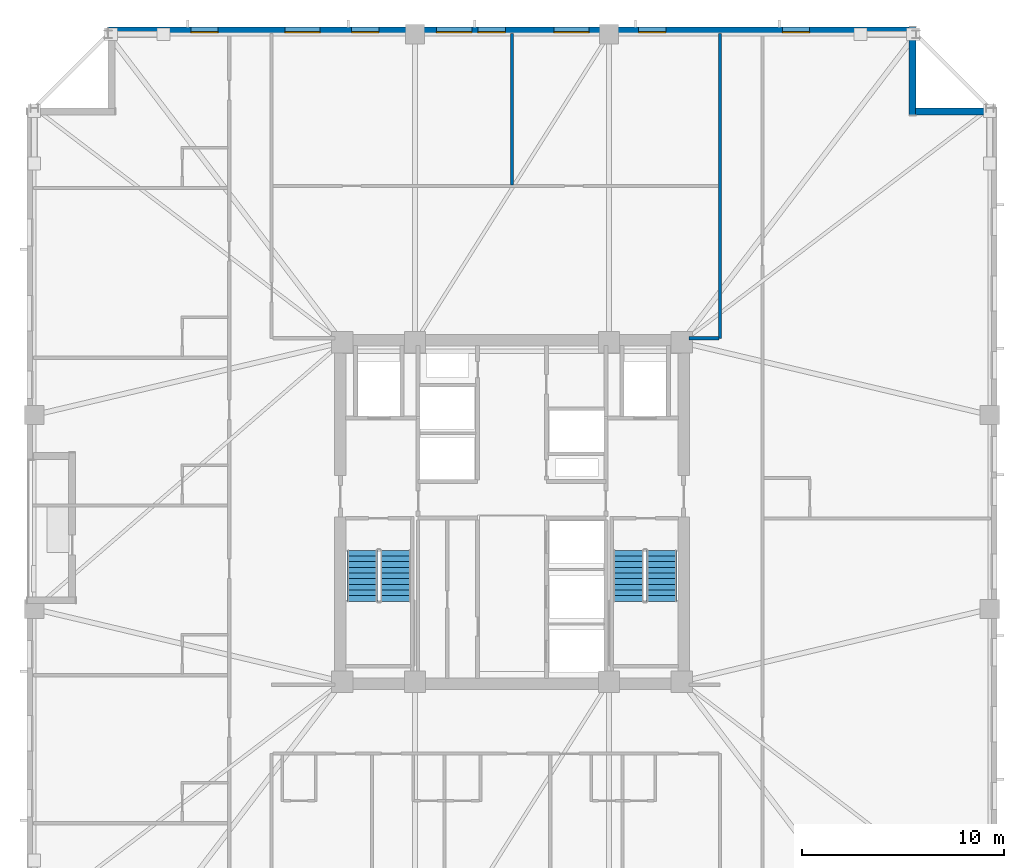
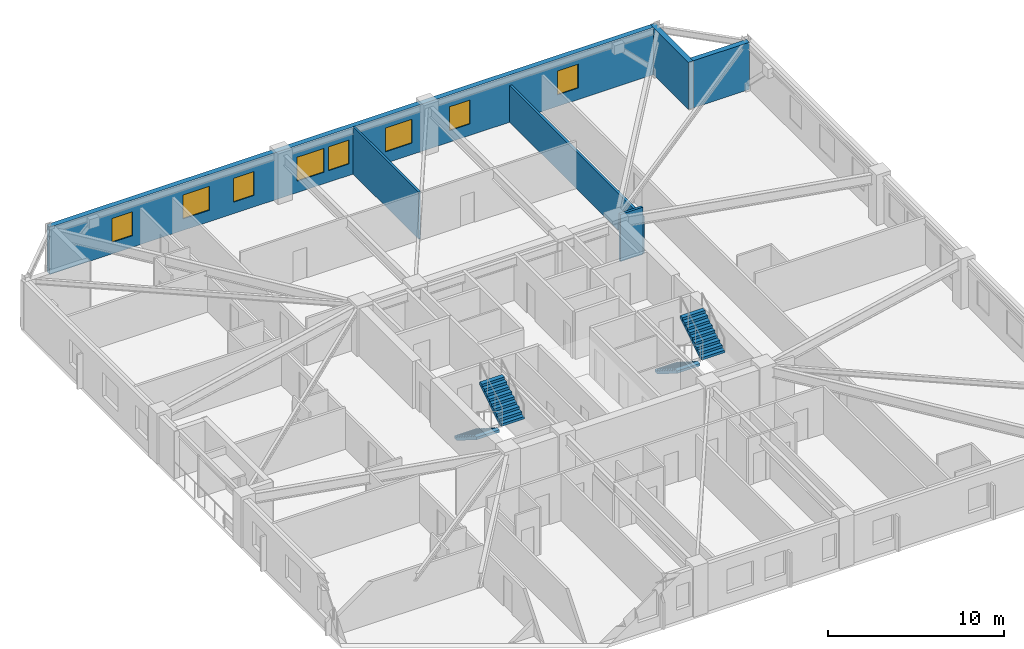
# One storey, part 6 of 11: 8 windows, 6 walls, 4 stair flights, 8 openings, 2 elements without a shape of their own.
"""IFC4 building model written with IfcOpenShell, lengths in metres."""

from ifc_helpers import new_model, si_unit, direction, frame, frame_2d, origin, place, context, subcontext, project, spatial, polyline, rectangle, outline, extrude, material, layer, layer_set, type_object, element, fill, aggregate, save


model = new_model("IFC4")

# Units and contexts
model_context = context("Model", 3, precision=1e-05, world=origin(), true_north=direction((0.0, 1.0)))
body_context = subcontext(model_context, "Body", "Model", "MODEL_VIEW")
ifc_project = project(units=[si_unit("LENGTHUNIT", "METRE"), si_unit("AREAUNIT", "SQUARE_METRE"), si_unit("VOLUMEUNIT", "CUBIC_METRE"), si_unit("PLANEANGLEUNIT", "RADIAN"), si_unit("MASSUNIT", "GRAM", prefix="KILO")], contexts=[model_context])

# Site, building, storey
site_placement = place(None, origin())
site = spatial("IfcSite", under=ifc_project, at=site_placement, CompositionType="ELEMENT")
building_placement = place(site_placement, origin())
building = spatial("IfcBuilding", under=site, at=building_placement, Name="Cairnveth Concourse Tower", CompositionType="ELEMENT")
storey_placement = place(building_placement, frame((0.0, 0.0, 120.0)))
storey = spatial("IfcBuildingStorey", under=building, at=storey_placement, Name="L32", CompositionType="ELEMENT", Elevation=120.0)

# Walls
ifc_material_1 = material(Name="Gypsum Plasterboard Partition", Category="gypsum")
ifc_layer_1 = layer(ifc_material_1, 0.159912109375)
ifc_layer_set_1 = layer_set([ifc_layer_1], Name="Gypsum Plasterboard Partition")
wall_type_1 = type_object("IfcWallType", Name="ACOUSTIC PARTY WALL 180", PredefinedType="PARTITIONING", material=ifc_layer_set_1)
wall_1_placement = place(storey_placement, frame((62.300048828125, 47.60009765625, 0.0), z_axis=(0.0, 0.0, 1.0), x_axis=(0.0, 1.0, 0.0)))
element("IfcWall", 1, at=wall_1_placement, inside=storey, type_object=wall_type_1, Name="Interior Wall IW-L32-043", PredefinedType="PARTITIONING", context=body_context, shape_type="SweptSolid", body=[
    extrude(rectangle(XDim=15.074951171875, YDim=0.159912109375, at=frame_2d((7.53759765625, 0.0))), origin(), (0.0, 0.0, 1.0), 2.554931640625),
])
wall_2_placement = place(storey_placement, frame((60.764892578125, 47.60009765625, 0.0), z_axis=(0.0, 0.0, 1.0), x_axis=(1.0, 0.0, 0.0)))
element("IfcWall", 2, at=wall_2_placement, inside=storey, type_object=wall_type_1, Name="Interior Wall IW-L32-045", PredefinedType="PARTITIONING", context=body_context, shape_type="SweptSolid", body=[
    extrude(rectangle(XDim=1.47021484375, YDim=0.159912109375, at=frame_2d((0.735107421875, 0.0))), origin(), (0.0, 0.0, 1.0), 3.280029296875),
])
ifc_layer_2 = layer(ifc_material_1, 0.139892578125)
ifc_layer_set_2 = layer_set([ifc_layer_2], Name="Gypsum Plasterboard Partition")
wall_type_2 = type_object("IfcWallType", Name="GYPSUM STUD PARTITION 140", PredefinedType="PARTITIONING", material=ifc_layer_set_2)
wall_3_placement = place(storey_placement, frame((52.0, 55.195068359375, 0.0), z_axis=(0.0, 0.0, 1.0), x_axis=(0.0, 1.0, 0.0)))
element("IfcWall", 3, at=wall_3_placement, inside=storey, type_object=wall_type_2, Name="Interior Wall IW-L32-048", PredefinedType="PARTITIONING", context=body_context, shape_type="SweptSolid", body=[
    extrude(rectangle(XDim=7.47998046875, YDim=0.139892578125, at=frame_2d((3.739990234375, 0.0))), origin(), (0.0, 0.0, 1.0), 3.280029296875),
])

# Wall, openings, windows
ifc_material_2 = material(Name="Hawthorn Red-Ochre Fired Clay Brick Masonry", Category="masonry")
ifc_layer_3 = layer(ifc_material_2, 0.340087890625)
ifc_layer_set_3 = layer_set([ifc_layer_3], Name="Hawthorn Red-Ochre Fired Clay Brick Masonry")
wall_type_3 = type_object("IfcWallType", Name="ZONE 2 BRICK PIER SPANDREL WALL 340", PredefinedType="SOLIDWALL", material=ifc_layer_set_3)
wall_4_placement = place(storey_placement, frame((32.0, 62.830078125, 0.0), z_axis=(0.0, 0.0, 1.0), x_axis=(1.0, 0.0, 0.0)))
wall_4 = element("IfcWall", 4, at=wall_4_placement, inside=storey, type_object=wall_type_3, Name="Exterior Wall EW-L32-S03", PredefinedType="SOLIDWALL", context=body_context, shape_type="SweptSolid", body=[
    extrude(rectangle(XDim=39.681884765625, YDim=0.340087890625, at=frame_2d((19.8408203125, 0.0))), origin(), (0.0, 0.0, 1.0), 3.280029296875),
])
opening_1_placement = place(wall_4_placement, frame((4.101806640625, 0.0, 0.800048828125)))
opening_1 = element("IfcOpeningElement", 5, at=opening_1_placement, cuts=wall_4, Name="Opening W02", PredefinedType="OPENING", context=body_context, shape_type="SweptSolid", body=[
    extrude(rectangle(XDim=1.35009765625, YDim=1.659912109375, at=frame_2d((0.675048828125, 0.830078125))), frame((0.0, 0.179931640625, 0.0), z_axis=(0.0, -1.0, 0.0), x_axis=(1.0, 0.0, 0.0)), (0.0, 0.0, 1.0), 0.360107421875),
])
opening_2_placement = place(wall_4_placement, frame((8.75537109375, 0.0, 0.800048828125)))
opening_2 = element("IfcOpeningElement", 6, at=opening_2_placement, cuts=wall_4, Name="Opening W06", PredefinedType="OPENING", context=body_context, shape_type="SweptSolid", body=[
    extrude(rectangle(XDim=1.75, YDim=1.659912109375, at=frame_2d((0.875, 0.830078125))), frame((0.0, 0.179931640625, 0.0), z_axis=(0.0, -1.0, 0.0), x_axis=(1.0, 0.0, 0.0)), (0.0, 0.0, 1.0), 0.360107421875),
])
opening_3_placement = place(wall_4_placement, frame((12.058837890625, 0.0, 0.800048828125)))
opening_3 = element("IfcOpeningElement", 7, at=opening_3_placement, cuts=wall_4, Name="Opening W02", PredefinedType="OPENING", context=body_context, shape_type="SweptSolid", body=[
    extrude(rectangle(XDim=1.35009765625, YDim=1.659912109375, at=frame_2d((0.675048828125, 0.830078125))), frame((0.0, 0.179931640625, 0.0), z_axis=(0.0, -1.0, 0.0), x_axis=(1.0, 0.0, 0.0)), (0.0, 0.0, 1.0), 0.360107421875),
])
opening_4_placement = place(wall_4_placement, frame((16.262451171875, 0.0, 0.800048828125)))
opening_4 = element("IfcOpeningElement", 8, at=opening_4_placement, cuts=wall_4, Name="Opening W06", PredefinedType="OPENING", context=body_context, shape_type="SweptSolid", body=[
    extrude(rectangle(XDim=1.75, YDim=1.659912109375, at=frame_2d((0.875, 0.830078125))), frame((0.0, 0.179931640625, 0.0), z_axis=(0.0, -1.0, 0.0), x_axis=(1.0, 0.0, 0.0)), (0.0, 0.0, 1.0), 0.360107421875),
])
opening_5_placement = place(wall_4_placement, frame((18.31591796875, 0.0, 0.800048828125)))
opening_5 = element("IfcOpeningElement", 9, at=opening_5_placement, cuts=wall_4, Name="Opening W02", PredefinedType="OPENING", context=body_context, shape_type="SweptSolid", body=[
    extrude(rectangle(XDim=1.35009765625, YDim=1.659912109375, at=frame_2d((0.675048828125, 0.830078125))), frame((0.0, 0.179931640625, 0.0), z_axis=(0.0, -1.0, 0.0), x_axis=(1.0, 0.0, 0.0)), (0.0, 0.0, 1.0), 0.360107421875),
])
opening_6_placement = place(wall_4_placement, frame((22.069580078125, 0.0, 0.800048828125)))
opening_6 = element("IfcOpeningElement", 10, at=opening_6_placement, cuts=wall_4, Name="Opening W06", PredefinedType="OPENING", context=body_context, shape_type="SweptSolid", body=[
    extrude(rectangle(XDim=1.75, YDim=1.659912109375, at=frame_2d((0.875, 0.830078125))), frame((0.0, 0.179931640625, 0.0), z_axis=(0.0, -1.0, 0.0), x_axis=(1.0, 0.0, 0.0)), (0.0, 0.0, 1.0), 0.360107421875),
])
opening_7_placement = place(wall_4_placement, frame((26.273193359375, 0.0, 0.800048828125)))
opening_7 = element("IfcOpeningElement", 11, at=opening_7_placement, cuts=wall_4, Name="Opening W02", PredefinedType="OPENING", context=body_context, shape_type="SweptSolid", body=[
    extrude(rectangle(XDim=1.35009765625, YDim=1.659912109375, at=frame_2d((0.675048828125, 0.830078125))), frame((0.0, 0.179931640625, 0.0), z_axis=(0.0, -1.0, 0.0), x_axis=(1.0, 0.0, 0.0)), (0.0, 0.0, 1.0), 0.360107421875),
])
opening_8_placement = place(wall_4_placement, frame((33.380126953125, 0.0, 0.800048828125)))
opening_8 = element("IfcOpeningElement", 12, at=opening_8_placement, cuts=wall_4, Name="Opening W02", PredefinedType="OPENING", context=body_context, shape_type="SweptSolid", body=[
    extrude(rectangle(XDim=1.35009765625, YDim=1.659912109375, at=frame_2d((0.675048828125, 0.830078125))), frame((0.0, 0.179931640625, 0.0), z_axis=(0.0, -1.0, 0.0), x_axis=(1.0, 0.0, 0.0)), (0.0, 0.0, 1.0), 0.360107421875),
])
ifc_material_3 = material(Name="Double Glazed Low-E Clear Glass", Category="glass")
window_type_1 = type_object("IfcWindowType", Name="DEEP-SET GOTHIC LANCET WINDOW 1350X1800", PartitioningType="DOUBLE_PANEL_VERTICAL", PredefinedType="WINDOW", material=ifc_material_3)
window_1_placement = place(opening_1_placement, origin())
window_1 = element("IfcWindow", 13, at=window_1_placement, inside=storey, type_object=window_type_1, Name="Gothic Lancet Window L32-3-1", OverallHeight=1.659912109375, OverallWidth=1.35009765625, PartitioningType="SINGLE_PANEL", PredefinedType="WINDOW", context=body_context, shape_type="SweptSolid", body=[
    extrude(rectangle(XDim=1.35009765625, YDim=1.659912109375, at=frame_2d((0.675048828125, 0.830078125))), frame((0.0, -0.050048828125, 0.0), z_axis=(0.0, -1.0, 0.0), x_axis=(1.0, 0.0, 0.0)), (0.0, 0.0, 1.0), 0.06005859375),
])
fill(opening_1, window_1)
window_2_placement = place(opening_3_placement, origin())
window_2 = element("IfcWindow", 14, at=window_2_placement, inside=storey, type_object=window_type_1, Name="Gothic Lancet Window L32-3-3", OverallHeight=1.659912109375, OverallWidth=1.35009765625, PartitioningType="SINGLE_PANEL", PredefinedType="WINDOW", context=body_context, shape_type="SweptSolid", body=[
    extrude(rectangle(XDim=1.35009765625, YDim=1.659912109375, at=frame_2d((0.675048828125, 0.830078125))), frame((0.0, -0.050048828125, 0.0), z_axis=(0.0, -1.0, 0.0), x_axis=(1.0, 0.0, 0.0)), (0.0, 0.0, 1.0), 0.06005859375),
])
fill(opening_3, window_2)
window_3_placement = place(opening_5_placement, origin())
window_3 = element("IfcWindow", 15, at=window_3_placement, inside=storey, type_object=window_type_1, Name="Gothic Lancet Window L32-3-5", OverallHeight=1.659912109375, OverallWidth=1.35009765625, PartitioningType="SINGLE_PANEL", PredefinedType="WINDOW", context=body_context, shape_type="SweptSolid", body=[
    extrude(rectangle(XDim=1.35009765625, YDim=1.659912109375, at=frame_2d((0.675048828125, 0.830078125))), frame((0.0, -0.050048828125, 0.0), z_axis=(0.0, -1.0, 0.0), x_axis=(1.0, 0.0, 0.0)), (0.0, 0.0, 1.0), 0.06005859375),
])
fill(opening_5, window_3)
window_4_placement = place(opening_7_placement, origin())
window_4 = element("IfcWindow", 16, at=window_4_placement, inside=storey, type_object=window_type_1, Name="Gothic Lancet Window L32-3-7", OverallHeight=1.659912109375, OverallWidth=1.35009765625, PartitioningType="SINGLE_PANEL", PredefinedType="WINDOW", context=body_context, shape_type="SweptSolid", body=[
    extrude(rectangle(XDim=1.35009765625, YDim=1.659912109375, at=frame_2d((0.675048828125, 0.830078125))), frame((0.0, -0.050048828125, 0.0), z_axis=(0.0, -1.0, 0.0), x_axis=(1.0, 0.0, 0.0)), (0.0, 0.0, 1.0), 0.06005859375),
])
fill(opening_7, window_4)
window_5_placement = place(opening_8_placement, origin())
window_5 = element("IfcWindow", 17, at=window_5_placement, inside=storey, type_object=window_type_1, Name="Gothic Lancet Window L32-3-9", OverallHeight=1.659912109375, OverallWidth=1.35009765625, PartitioningType="SINGLE_PANEL", PredefinedType="WINDOW", context=body_context, shape_type="SweptSolid", body=[
    extrude(rectangle(XDim=1.35009765625, YDim=1.659912109375, at=frame_2d((0.675048828125, 0.830078125))), frame((0.0, -0.050048828125, 0.0), z_axis=(0.0, -1.0, 0.0), x_axis=(1.0, 0.0, 0.0)), (0.0, 0.0, 1.0), 0.06005859375),
])
fill(opening_8, window_5)
window_type_2 = type_object("IfcWindowType", Name="DEEP-SET HOTEL SUITE WINDOW 1750X1800", PartitioningType="DOUBLE_PANEL_VERTICAL", PredefinedType="WINDOW", material=ifc_material_3)
window_6_placement = place(opening_2_placement, origin())
window_6 = element("IfcWindow", 18, at=window_6_placement, inside=storey, type_object=window_type_2, Name="Gothic Lancet Window L32-3-2", OverallHeight=1.659912109375, OverallWidth=1.75, PartitioningType="SINGLE_PANEL", PredefinedType="WINDOW", context=body_context, shape_type="SweptSolid", body=[
    extrude(rectangle(XDim=1.75, YDim=1.659912109375, at=frame_2d((0.875, 0.830078125))), frame((0.0, -0.050048828125, 0.0), z_axis=(0.0, -1.0, 0.0), x_axis=(1.0, 0.0, 0.0)), (0.0, 0.0, 1.0), 0.06005859375),
])
fill(opening_2, window_6)
window_7_placement = place(opening_4_placement, origin())
window_7 = element("IfcWindow", 19, at=window_7_placement, inside=storey, type_object=window_type_2, Name="Gothic Lancet Window L32-3-4", OverallHeight=1.659912109375, OverallWidth=1.75, PartitioningType="SINGLE_PANEL", PredefinedType="WINDOW", context=body_context, shape_type="SweptSolid", body=[
    extrude(rectangle(XDim=1.75, YDim=1.659912109375, at=frame_2d((0.875, 0.830078125))), frame((0.0, -0.050048828125, 0.0), z_axis=(0.0, -1.0, 0.0), x_axis=(1.0, 0.0, 0.0)), (0.0, 0.0, 1.0), 0.06005859375),
])
fill(opening_4, window_7)
window_8_placement = place(opening_6_placement, origin())
window_8 = element("IfcWindow", 20, at=window_8_placement, inside=storey, type_object=window_type_2, Name="Gothic Lancet Window L32-3-6", OverallHeight=1.659912109375, OverallWidth=1.75, PartitioningType="SINGLE_PANEL", PredefinedType="WINDOW", context=body_context, shape_type="SweptSolid", body=[
    extrude(rectangle(XDim=1.75, YDim=1.659912109375, at=frame_2d((0.875, 0.830078125))), frame((0.0, -0.050048828125, 0.0), z_axis=(0.0, -1.0, 0.0), x_axis=(1.0, 0.0, 0.0)), (0.0, 0.0, 1.0), 0.06005859375),
])
fill(opening_6, window_8)

# Walls
wall_5_placement = place(storey_placement, frame((71.830078125, 63.0, 0.0), z_axis=(0.0, 0.0, 1.0), x_axis=(0.0, -1.0, 0.0)))
element("IfcWall", 21, at=wall_5_placement, inside=storey, type_object=wall_type_3, Name="Exterior Wall EW-L32-S04", PredefinedType="SOLIDWALL", context=body_context, shape_type="SweptSolid", body=[
    extrude(rectangle(XDim=4.340087890625, YDim=0.340087890625, at=frame_2d((2.169921875, 0.0))), origin(), (0.0, 0.0, 1.0), 3.280029296875),
])
wall_6_placement = place(storey_placement, frame((71.97802734375, 58.830078125, 0.0), z_axis=(0.0, 0.0, 1.0), x_axis=(1.0, 0.0, 0.0)))
element("IfcWall", 22, at=wall_6_placement, inside=storey, type_object=wall_type_3, Name="Exterior Wall EW-L32-S05", PredefinedType="SOLIDWALL", context=body_context, shape_type="SweptSolid", body=[
    extrude(rectangle(XDim=3.703857421875, YDim=0.340087890625, at=frame_2d((1.85205078125, 0.0))), origin(), (0.0, 0.0, 1.0), 3.280029296875),
])

# Stair, stair flights
ifc_material_4 = material(Name="Precast concrete N50 (50 MPa)", Category="concrete")
stair_type = type_object("IfcStairType", Name="CORE DOG-LEG FIRE STAIR 1500", PredefinedType="HALF_TURN_STAIR", material=ifc_material_4)
stair_1_placement = place(storey_placement, origin())
stair_1 = element("IfcStair", 23, at=stair_1_placement, inside=storey, type_object=stair_type, Name="L32 Fire-Isolated Stair ST-1", PredefinedType="HALF_TURN_STAIR")
stair_flight_type = type_object("IfcStairFlightType", Name="PRECAST CONCRETE STAIR FLIGHT 1500", PredefinedType="STRAIGHT", material=ifc_material_4)
stair_flight_1_placement = place(storey_placement, frame((44.590087890625, 37.10009765625, 0.0), z_axis=(0.0, 0.0, 1.0), x_axis=(0.0, -1.0, 0.0)))
stair_flight_1 = element("IfcStairFlight", 24, at=stair_flight_1_placement, type_object=stair_flight_type, Name="ST-1 flight 1", NumberOfRisers=10, NumberOfTreads=9, PredefinedType="STRAIGHT", RiserHeight=0.175, TreadLength=0.28, context=body_context, shape_type="SweptSolid", body=[
    extrude(outline(polyline([(0.0, 0.0), (0.0, 0.175048828125), (0.280029296875, 0.175048828125), (0.280029296875, 0.35009765625), (0.56005859375, 0.35009765625), (0.56005859375, 0.52490234375), (0.840087890625, 0.52490234375), (0.840087890625, 0.699951171875), (1.1201171875, 0.699951171875), (1.1201171875, 0.875), (1.39990234375, 0.875), (1.39990234375, 1.050048828125), (1.679931640625, 1.050048828125), (1.679931640625, 1.22509765625), (1.9599609375, 1.22509765625), (1.9599609375, 1.39990234375), (2.239990234375, 1.39990234375), (2.239990234375, 1.574951171875), (2.52001953125, 1.574951171875), (2.52001953125, 1.75), (2.52001953125, 1.398193359375), (0.28271484375, 0.0), (0.0, 0.0)])), frame((0.0, 0.75, 0.0), z_axis=(0.0, -1.0, 0.0), x_axis=(1.0, 0.0, 0.0)), (0.0, 0.0, 1.0), 1.5),
])
stair_flight_2_placement = place(storey_placement, frame((46.22998046875, 34.580078125, 1.75), z_axis=(0.0, 0.0, 1.0), x_axis=(0.0, 1.0, 0.0)))
stair_flight_2 = element("IfcStairFlight", 25, at=stair_flight_2_placement, type_object=stair_flight_type, Name="ST-1 flight 2", NumberOfRisers=10, NumberOfTreads=9, PredefinedType="STRAIGHT", RiserHeight=0.175, TreadLength=0.28, context=body_context, shape_type="SweptSolid", body=[
    extrude(outline(polyline([(0.0, 0.0), (0.0, 0.175048828125), (0.280029296875, 0.175048828125), (0.280029296875, 0.35009765625), (0.56005859375, 0.35009765625), (0.56005859375, 0.52490234375), (0.840087890625, 0.52490234375), (0.840087890625, 0.699951171875), (1.1201171875, 0.699951171875), (1.1201171875, 0.875), (1.39990234375, 0.875), (1.39990234375, 1.050048828125), (1.679931640625, 1.050048828125), (1.679931640625, 1.22509765625), (1.9599609375, 1.22509765625), (1.9599609375, 1.39990234375), (2.239990234375, 1.39990234375), (2.239990234375, 1.574951171875), (2.52001953125, 1.574951171875), (2.52001953125, 1.75), (2.52001953125, 1.398193359375), (0.28271484375, 0.0), (0.0, 0.0)])), frame((0.0, 0.75, 0.0), z_axis=(0.0, -1.0, 0.0), x_axis=(1.0, 0.0, 0.0)), (0.0, 0.0, 1.0), 1.5),
])
aggregate(stair_1, [stair_flight_1, stair_flight_2])

stair_2_placement = place(storey_placement, origin())
stair_2 = element("IfcStair", 26, at=stair_2_placement, inside=storey, type_object=stair_type, Name="L32 Fire-Isolated Stair ST-2", PredefinedType="HALF_TURN_STAIR")
stair_flight_3_placement = place(storey_placement, frame((57.77001953125, 37.10009765625, 0.0), z_axis=(0.0, 0.0, 1.0), x_axis=(0.0, -1.0, 0.0)))
stair_flight_3 = element("IfcStairFlight", 27, at=stair_flight_3_placement, type_object=stair_flight_type, Name="ST-2 flight 1", NumberOfRisers=10, NumberOfTreads=9, PredefinedType="STRAIGHT", RiserHeight=0.175, TreadLength=0.28, context=body_context, shape_type="SweptSolid", body=[
    extrude(outline(polyline([(0.0, 0.0), (0.0, 0.175048828125), (0.280029296875, 0.175048828125), (0.280029296875, 0.35009765625), (0.56005859375, 0.35009765625), (0.56005859375, 0.52490234375), (0.840087890625, 0.52490234375), (0.840087890625, 0.699951171875), (1.1201171875, 0.699951171875), (1.1201171875, 0.875), (1.39990234375, 0.875), (1.39990234375, 1.050048828125), (1.679931640625, 1.050048828125), (1.679931640625, 1.22509765625), (1.9599609375, 1.22509765625), (1.9599609375, 1.39990234375), (2.239990234375, 1.39990234375), (2.239990234375, 1.574951171875), (2.52001953125, 1.574951171875), (2.52001953125, 1.75), (2.52001953125, 1.398193359375), (0.28271484375, 0.0), (0.0, 0.0)])), frame((0.0, 0.75, 0.0), z_axis=(0.0, -1.0, 0.0), x_axis=(1.0, 0.0, 0.0)), (0.0, 0.0, 1.0), 1.5),
])
stair_flight_4_placement = place(storey_placement, frame((59.409912109375, 34.580078125, 1.75), z_axis=(0.0, 0.0, 1.0), x_axis=(0.0, 1.0, 0.0)))
stair_flight_4 = element("IfcStairFlight", 28, at=stair_flight_4_placement, type_object=stair_flight_type, Name="ST-2 flight 2", NumberOfRisers=10, NumberOfTreads=9, PredefinedType="STRAIGHT", RiserHeight=0.175, TreadLength=0.28, context=body_context, shape_type="SweptSolid", body=[
    extrude(outline(polyline([(0.0, 0.0), (0.0, 0.175048828125), (0.280029296875, 0.175048828125), (0.280029296875, 0.35009765625), (0.56005859375, 0.35009765625), (0.56005859375, 0.52490234375), (0.840087890625, 0.52490234375), (0.840087890625, 0.699951171875), (1.1201171875, 0.699951171875), (1.1201171875, 0.875), (1.39990234375, 0.875), (1.39990234375, 1.050048828125), (1.679931640625, 1.050048828125), (1.679931640625, 1.22509765625), (1.9599609375, 1.22509765625), (1.9599609375, 1.39990234375), (2.239990234375, 1.39990234375), (2.239990234375, 1.574951171875), (2.52001953125, 1.574951171875), (2.52001953125, 1.75), (2.52001953125, 1.398193359375), (0.28271484375, 0.0), (0.0, 0.0)])), frame((0.0, 0.75, 0.0), z_axis=(0.0, -1.0, 0.0), x_axis=(1.0, 0.0, 0.0)), (0.0, 0.0, 1.0), 1.5),
])
aggregate(stair_2, [stair_flight_3, stair_flight_4])

save(model, "model.ifc")
